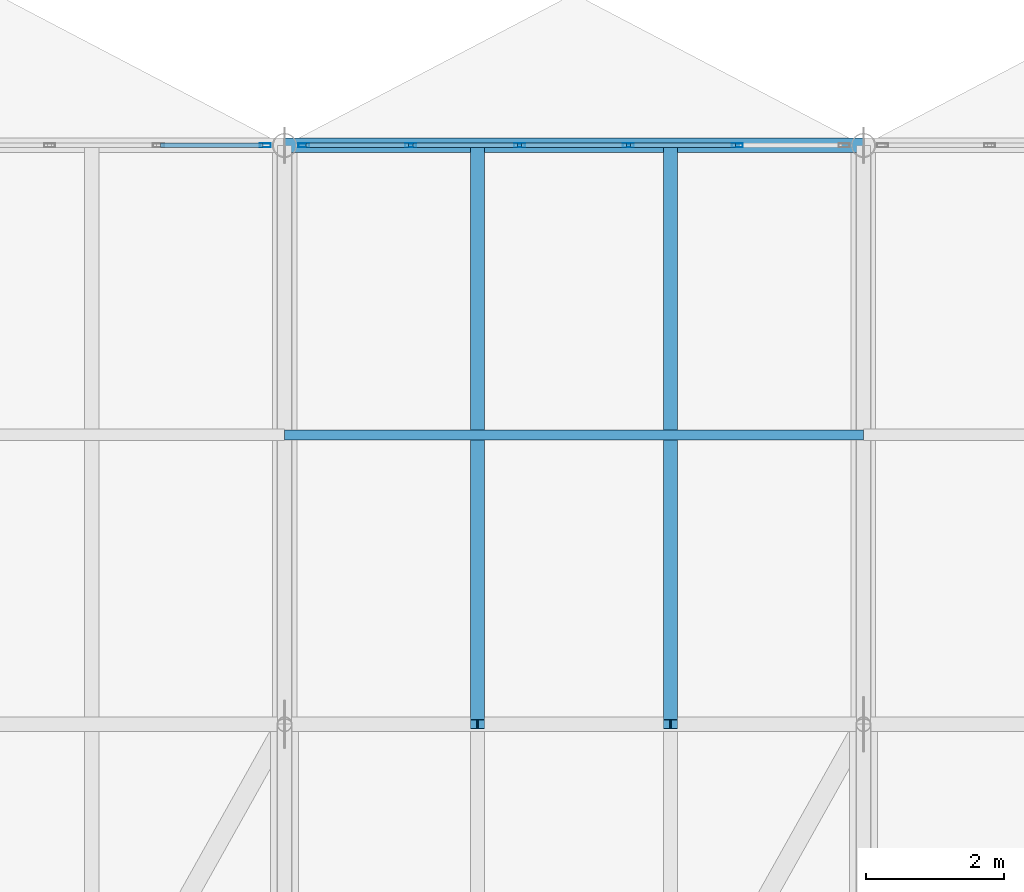
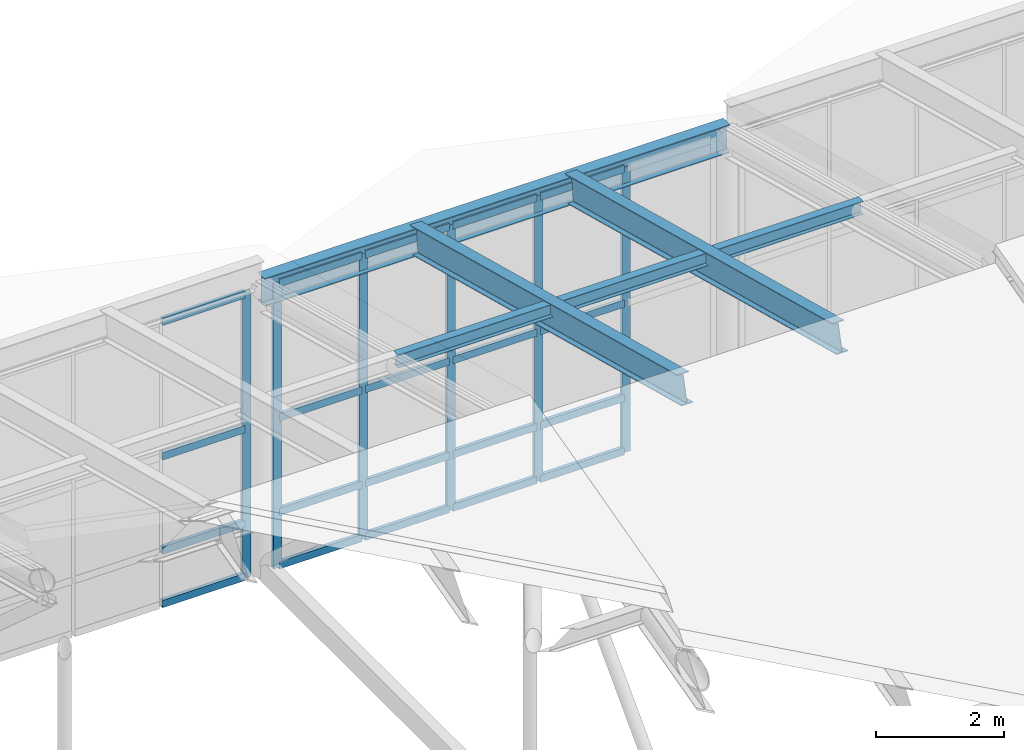
# One storey, part 18 of 43: 27 members, 3 beams, 2 elements without a shape of their own.
"""IFC4 building model written with IfcOpenShell, lengths in metres."""

from ifc_helpers import new_model, si_unit, direction, frame, origin, origin_2d, place, context, subcontext, project, spatial, hollow_rectangle, i_section, extrude, material, layer, layer_set, material_profile, profile_set, type_object, element, aggregate, save


model = new_model("IFC4")

# Units and contexts
model_context = context("Model", 3, precision=1e-05, world=origin(), true_north=direction((0.0, 1.0)))
body_context = subcontext(model_context, "Body", "Model", "MODEL_VIEW")
ifc_project = project(units=[si_unit("LENGTHUNIT", "METRE"), si_unit("AREAUNIT", "SQUARE_METRE"), si_unit("VOLUMEUNIT", "CUBIC_METRE"), si_unit("PLANEANGLEUNIT", "RADIAN"), si_unit("MASSUNIT", "GRAM", prefix="KILO")], contexts=[model_context])

# Site, building, storey
site_placement = place(None, origin())
site = spatial("IfcSite", under=ifc_project, at=site_placement, CompositionType="ELEMENT")
building_placement = place(site_placement, origin())
building = spatial("IfcBuilding", under=site, at=building_placement, Name="Selat Folded Stagehouse", CompositionType="ELEMENT")
storey_placement = place(building_placement, frame((0.0, 0.0, 32.39990234375)))
storey = spatial("IfcBuildingStorey", under=building, at=storey_placement, Name="RF", CompositionType="ELEMENT", Elevation=32.39990234375)

# Beams
ifc_material_1 = material(Name="Steel S355", Category="steel")
ifc_material_profile_1 = material_profile(ifc_material_1, i_section(OverallWidth=0.209228515625, OverallDepth=0.533203125, WebThickness=0.010009765625, FlangeThickness=0.015625, FilletRadius=0.0126953125, at=origin_2d()), Name="UKB 533x210x92")
ifc_profile_set_1 = profile_set([ifc_material_profile_1], Name="Steel S355")
beam_type = type_object("IfcBeamType", Name="BM-GIRD-533x210x92", PredefinedType="BEAM", material=ifc_profile_set_1)
beam_placement = place(storey_placement, frame((33.60009765625, 54.60009765625, 5.388916015625), z_axis=(1.0, 0.0, 0.0), x_axis=(0.0, 1.0, 0.0)))
element("IfcBeam", 1, at=beam_placement, inside=storey, type_object=beam_type, Name="RF bay 4 N roof bearer beam", PredefinedType="BEAM", context=body_context, shape_type="SweptSolid", body=[
    extrude(i_section(OverallWidth=0.209228515625, OverallDepth=0.533203125, WebThickness=0.010009765625, FlangeThickness=0.015625, FilletRadius=0.0126953125, at=origin_2d()), origin(), (0.0, 0.0, 1.0), 8.39990234375),
])
for number, where, z_axis, x_axis, name in (
    (2, (36.39990234375, 46.199951171875, 7.60888671875), (0.0, 0.966807574904, -0.255505602889), (-1.0, 0.0, 0.0), "RF bay 4 W north sub-rafter"),
    (3, (39.199951171875, 46.199951171875, 7.60888671875), (0.0, 0.966807574904, -0.255505602889), (-1.0, 0.0, 0.0), "RF bay 4 E north sub-rafter"),
):
    element("IfcBeam", number, at=place(storey_placement, frame(where, z_axis=z_axis, x_axis=x_axis)), inside=storey, type_object=beam_type, Name=name, PredefinedType="BEAM", context=body_context, shape_type="SweptSolid", body=[
        extrude(i_section(OverallWidth=0.209228515625, OverallDepth=0.533203125, WebThickness=0.010009765625, FlangeThickness=0.015625, FilletRadius=0.0126953125, at=origin_2d()), origin(), (0.0, 0.0, 1.0), 8.6884765625),
    ])

# Curtain wall, member
ifc_material_2 = material(Name="Aluminium 6063-T6", Category="aluminium")
ifc_layer = layer(ifc_material_2, 0.169921875)
ifc_layer_set = layer_set([ifc_layer], Name="Aluminium 6063-T6")
curtain_wall_type = type_object("IfcCurtainWallType", Name="CW-CRN-CLER", PredefinedType="NOTDEFINED", material=ifc_layer_set)
curtain_wall_1_placement = place(storey_placement, origin())
curtain_wall_1 = element("IfcCurtainWall", 4, at=curtain_wall_1_placement, inside=storey, type_object=curtain_wall_type, Name="RF curtain wall CW-RF-N-02", PredefinedType="NOTDEFINED")
ifc_material_profile_2 = material_profile(ifc_material_2, hollow_rectangle(XDim=0.06005859375, YDim=0.159912109375, WallThickness=0.00390625, at=origin_2d()), Name="ALU 160x60x4.0")
ifc_profile_set_2 = profile_set([ifc_material_profile_2], Name="Aluminium 6063-T6")
member_type_1 = type_object("IfcMemberType", Name="CWM-MUL-160x60", PredefinedType="MULLION", material=ifc_profile_set_2)
member_1_placement = place(storey_placement, frame((33.320068359375, 54.60009765625, 0.0), z_axis=(0.0, 0.0, 1.0), x_axis=(0.0, 1.0, 0.0)))
member_1 = element("IfcMember", 5, at=member_1_placement, type_object=member_type_1, Name="CW-09 mullion 6", PredefinedType="MULLION", context=body_context, shape_type="SweptSolid", body=[
    extrude(hollow_rectangle(XDim=0.06005859375, YDim=0.159912109375, WallThickness=0.00390625, at=origin_2d()), origin(), (0.0, 0.0, 1.0), 5.4501953125),
])

# Curtain wall, members
curtain_wall_2_placement = place(storey_placement, origin())
curtain_wall_2 = element("IfcCurtainWall", 6, at=curtain_wall_2_placement, inside=storey, type_object=curtain_wall_type, Name="RF curtain wall CW-RF-N-03", PredefinedType="NOTDEFINED")
member_2_placement = place(storey_placement, frame((33.8798828125, 54.60009765625, 0.0), z_axis=(0.0, 0.0, 1.0), x_axis=(0.0, 1.0, 0.0)))
member_2 = element("IfcMember", 7, at=member_2_placement, type_object=member_type_1, Name="CW-09 mullion 1", PredefinedType="MULLION", context=body_context, shape_type="SweptSolid", body=[
    extrude(hollow_rectangle(XDim=0.06005859375, YDim=0.159912109375, WallThickness=0.00390625, at=origin_2d()), origin(), (0.0, 0.0, 1.0), 5.4501953125),
])
member_3_placement = place(storey_placement, frame((35.429931640625, 54.60009765625, 0.0), z_axis=(0.0, 0.0, 1.0), x_axis=(0.0, 1.0, 0.0)))
member_3 = element("IfcMember", 8, at=member_3_placement, type_object=member_type_1, Name="CW-09 mullion 2", PredefinedType="MULLION", context=body_context, shape_type="SweptSolid", body=[
    extrude(hollow_rectangle(XDim=0.06005859375, YDim=0.159912109375, WallThickness=0.00390625, at=origin_2d()), origin(), (0.0, 0.0, 1.0), 5.4501953125),
])
member_4_placement = place(storey_placement, frame((37.010009765625, 54.60009765625, 0.0), z_axis=(0.0, 0.0, 1.0), x_axis=(0.0, 1.0, 0.0)))
member_4 = element("IfcMember", 9, at=member_4_placement, type_object=member_type_1, Name="CW-09 mullion 3", PredefinedType="MULLION", context=body_context, shape_type="SweptSolid", body=[
    extrude(hollow_rectangle(XDim=0.06005859375, YDim=0.159912109375, WallThickness=0.00390625, at=origin_2d()), origin(), (0.0, 0.0, 1.0), 5.4501953125),
])
member_5_placement = place(storey_placement, frame((38.590087890625, 54.60009765625, 0.0), z_axis=(0.0, 0.0, 1.0), x_axis=(0.0, 1.0, 0.0)))
member_5 = element("IfcMember", 10, at=member_5_placement, type_object=member_type_1, Name="CW-09 mullion 4", PredefinedType="MULLION", context=body_context, shape_type="SweptSolid", body=[
    extrude(hollow_rectangle(XDim=0.06005859375, YDim=0.159912109375, WallThickness=0.00390625, at=origin_2d()), origin(), (0.0, 0.0, 1.0), 5.4501953125),
])
member_6_placement = place(storey_placement, frame((40.169921875, 54.60009765625, 0.0), z_axis=(0.0, 0.0, 1.0), x_axis=(0.0, 1.0, 0.0)))
member_6 = element("IfcMember", 11, at=member_6_placement, type_object=member_type_1, Name="CW-09 mullion 5", PredefinedType="MULLION", context=body_context, shape_type="SweptSolid", body=[
    extrude(hollow_rectangle(XDim=0.06005859375, YDim=0.159912109375, WallThickness=0.00390625, at=origin_2d()), origin(), (0.0, 0.0, 1.0), 5.4501953125),
])

# Member
ifc_material_profile_3 = material_profile(ifc_material_2, hollow_rectangle(XDim=0.06494140625, YDim=0.139892578125, WallThickness=0.00390625, at=origin_2d()), Name="ALU 140x65x4.0")
ifc_profile_set_3 = profile_set([ifc_material_profile_3], Name="Aluminium 6063-T6")
member_type_2 = type_object("IfcMemberType", Name="CWM-TRN-140x65", PredefinedType="USERDEFINED", material=ifc_profile_set_3)
member_7_placement = place(storey_placement, frame((31.800048828125, 54.60009765625, 0.03271484375), z_axis=(1.0, 0.0, 0.0), x_axis=(0.0, 1.0, 0.0)))
member_7 = element("IfcMember", 12, at=member_7_placement, type_object=member_type_2, Name="CW-09 transom 5.1", ObjectType="TRANSOM", PredefinedType="USERDEFINED", context=body_context, shape_type="SweptSolid", body=[
    extrude(hollow_rectangle(XDim=0.06494140625, YDim=0.139892578125, WallThickness=0.00390625, at=origin_2d()), origin(), (0.0, 0.0, 1.0), 1.489990234375),
])

member_8_placement = place(storey_placement, frame((31.800048828125, 54.60009765625, 1.050048828125), z_axis=(1.0, 0.0, 0.0), x_axis=(0.0, 1.0, 0.0)))
member_8 = element("IfcMember", 13, at=member_8_placement, type_object=member_type_2, Name="CW-09 transom 5.2", ObjectType="TRANSOM", PredefinedType="USERDEFINED", context=body_context, shape_type="SweptSolid", body=[
    extrude(hollow_rectangle(XDim=0.06494140625, YDim=0.139892578125, WallThickness=0.00390625, at=origin_2d()), origin(), (0.0, 0.0, 1.0), 1.489990234375),
])

member_9_placement = place(storey_placement, frame((31.800048828125, 54.60009765625, 2.85009765625), z_axis=(1.0, 0.0, 0.0), x_axis=(0.0, 1.0, 0.0)))
member_9 = element("IfcMember", 14, at=member_9_placement, type_object=member_type_2, Name="CW-09 transom 5.3", ObjectType="TRANSOM", PredefinedType="USERDEFINED", context=body_context, shape_type="SweptSolid", body=[
    extrude(hollow_rectangle(XDim=0.06494140625, YDim=0.139892578125, WallThickness=0.00390625, at=origin_2d()), origin(), (0.0, 0.0, 1.0), 1.489990234375),
])

member_10_placement = place(storey_placement, frame((31.800048828125, 54.60009765625, 5.41748046875), z_axis=(1.0, 0.0, 0.0), x_axis=(0.0, 1.0, 0.0)))
member_10 = element("IfcMember", 15, at=member_10_placement, type_object=member_type_2, Name="CW-09 transom 5.4", ObjectType="TRANSOM", PredefinedType="USERDEFINED", context=body_context, shape_type="SweptSolid", body=[
    extrude(hollow_rectangle(XDim=0.06494140625, YDim=0.139892578125, WallThickness=0.00390625, at=origin_2d()), origin(), (0.0, 0.0, 1.0), 1.489990234375),
])

aggregate(curtain_wall_1, [member_1, member_7, member_8, member_9, member_10])

member_11_placement = place(storey_placement, frame((33.909912109375, 54.60009765625, 0.03271484375), z_axis=(1.0, 0.0, 0.0), x_axis=(0.0, 1.0, 0.0)))
member_11 = element("IfcMember", 16, at=member_11_placement, type_object=member_type_2, Name="CW-09 transom 1.1", ObjectType="TRANSOM", PredefinedType="USERDEFINED", context=body_context, shape_type="SweptSolid", body=[
    extrude(hollow_rectangle(XDim=0.06494140625, YDim=0.139892578125, WallThickness=0.00390625, at=origin_2d()), origin(), (0.0, 0.0, 1.0), 1.489990234375),
])

member_12_placement = place(storey_placement, frame((33.909912109375, 54.60009765625, 1.050048828125), z_axis=(1.0, 0.0, 0.0), x_axis=(0.0, 1.0, 0.0)))
member_12 = element("IfcMember", 17, at=member_12_placement, type_object=member_type_2, Name="CW-09 transom 1.2", ObjectType="TRANSOM", PredefinedType="USERDEFINED", context=body_context, shape_type="SweptSolid", body=[
    extrude(hollow_rectangle(XDim=0.06494140625, YDim=0.139892578125, WallThickness=0.00390625, at=origin_2d()), origin(), (0.0, 0.0, 1.0), 1.489990234375),
])

member_13_placement = place(storey_placement, frame((33.909912109375, 54.60009765625, 2.85009765625), z_axis=(1.0, 0.0, 0.0), x_axis=(0.0, 1.0, 0.0)))
member_13 = element("IfcMember", 18, at=member_13_placement, type_object=member_type_2, Name="CW-09 transom 1.3", ObjectType="TRANSOM", PredefinedType="USERDEFINED", context=body_context, shape_type="SweptSolid", body=[
    extrude(hollow_rectangle(XDim=0.06494140625, YDim=0.139892578125, WallThickness=0.00390625, at=origin_2d()), origin(), (0.0, 0.0, 1.0), 1.489990234375),
])

member_14_placement = place(storey_placement, frame((33.909912109375, 54.60009765625, 5.41748046875), z_axis=(1.0, 0.0, 0.0), x_axis=(0.0, 1.0, 0.0)))
member_14 = element("IfcMember", 19, at=member_14_placement, type_object=member_type_2, Name="CW-09 transom 1.4", ObjectType="TRANSOM", PredefinedType="USERDEFINED", context=body_context, shape_type="SweptSolid", body=[
    extrude(hollow_rectangle(XDim=0.06494140625, YDim=0.139892578125, WallThickness=0.00390625, at=origin_2d()), origin(), (0.0, 0.0, 1.0), 1.489990234375),
])

member_15_placement = place(storey_placement, frame((35.4599609375, 54.60009765625, 0.03271484375), z_axis=(1.0, 0.0, 0.0), x_axis=(0.0, 1.0, 0.0)))
member_15 = element("IfcMember", 20, at=member_15_placement, type_object=member_type_2, Name="CW-09 transom 2.1", ObjectType="TRANSOM", PredefinedType="USERDEFINED", context=body_context, shape_type="SweptSolid", body=[
    extrude(hollow_rectangle(XDim=0.06494140625, YDim=0.139892578125, WallThickness=0.00390625, at=origin_2d()), origin(), (0.0, 0.0, 1.0), 1.52001953125),
])

member_16_placement = place(storey_placement, frame((35.4599609375, 54.60009765625, 1.050048828125), z_axis=(1.0, 0.0, 0.0), x_axis=(0.0, 1.0, 0.0)))
member_16 = element("IfcMember", 21, at=member_16_placement, type_object=member_type_2, Name="CW-09 transom 2.2", ObjectType="TRANSOM", PredefinedType="USERDEFINED", context=body_context, shape_type="SweptSolid", body=[
    extrude(hollow_rectangle(XDim=0.06494140625, YDim=0.139892578125, WallThickness=0.00390625, at=origin_2d()), origin(), (0.0, 0.0, 1.0), 1.52001953125),
])

member_17_placement = place(storey_placement, frame((35.4599609375, 54.60009765625, 2.85009765625), z_axis=(1.0, 0.0, 0.0), x_axis=(0.0, 1.0, 0.0)))
member_17 = element("IfcMember", 22, at=member_17_placement, type_object=member_type_2, Name="CW-09 transom 2.3", ObjectType="TRANSOM", PredefinedType="USERDEFINED", context=body_context, shape_type="SweptSolid", body=[
    extrude(hollow_rectangle(XDim=0.06494140625, YDim=0.139892578125, WallThickness=0.00390625, at=origin_2d()), origin(), (0.0, 0.0, 1.0), 1.52001953125),
])

member_18_placement = place(storey_placement, frame((35.4599609375, 54.60009765625, 5.41748046875), z_axis=(1.0, 0.0, 0.0), x_axis=(0.0, 1.0, 0.0)))
member_18 = element("IfcMember", 23, at=member_18_placement, type_object=member_type_2, Name="CW-09 transom 2.4", ObjectType="TRANSOM", PredefinedType="USERDEFINED", context=body_context, shape_type="SweptSolid", body=[
    extrude(hollow_rectangle(XDim=0.06494140625, YDim=0.139892578125, WallThickness=0.00390625, at=origin_2d()), origin(), (0.0, 0.0, 1.0), 1.52001953125),
])

member_19_placement = place(storey_placement, frame((37.0400390625, 54.60009765625, 0.03271484375), z_axis=(1.0, 0.0, 0.0), x_axis=(0.0, 1.0, 0.0)))
member_19 = element("IfcMember", 24, at=member_19_placement, type_object=member_type_2, Name="CW-09 transom 3.1", ObjectType="TRANSOM", PredefinedType="USERDEFINED", context=body_context, shape_type="SweptSolid", body=[
    extrude(hollow_rectangle(XDim=0.06494140625, YDim=0.139892578125, WallThickness=0.00390625, at=origin_2d()), origin(), (0.0, 0.0, 1.0), 1.52001953125),
])

member_20_placement = place(storey_placement, frame((37.0400390625, 54.60009765625, 1.050048828125), z_axis=(1.0, 0.0, 0.0), x_axis=(0.0, 1.0, 0.0)))
member_20 = element("IfcMember", 25, at=member_20_placement, type_object=member_type_2, Name="CW-09 transom 3.2", ObjectType="TRANSOM", PredefinedType="USERDEFINED", context=body_context, shape_type="SweptSolid", body=[
    extrude(hollow_rectangle(XDim=0.06494140625, YDim=0.139892578125, WallThickness=0.00390625, at=origin_2d()), origin(), (0.0, 0.0, 1.0), 1.52001953125),
])

member_21_placement = place(storey_placement, frame((37.0400390625, 54.60009765625, 2.85009765625), z_axis=(1.0, 0.0, 0.0), x_axis=(0.0, 1.0, 0.0)))
member_21 = element("IfcMember", 26, at=member_21_placement, type_object=member_type_2, Name="CW-09 transom 3.3", ObjectType="TRANSOM", PredefinedType="USERDEFINED", context=body_context, shape_type="SweptSolid", body=[
    extrude(hollow_rectangle(XDim=0.06494140625, YDim=0.139892578125, WallThickness=0.00390625, at=origin_2d()), origin(), (0.0, 0.0, 1.0), 1.52001953125),
])

member_22_placement = place(storey_placement, frame((37.0400390625, 54.60009765625, 5.41748046875), z_axis=(1.0, 0.0, 0.0), x_axis=(0.0, 1.0, 0.0)))
member_22 = element("IfcMember", 27, at=member_22_placement, type_object=member_type_2, Name="CW-09 transom 3.4", ObjectType="TRANSOM", PredefinedType="USERDEFINED", context=body_context, shape_type="SweptSolid", body=[
    extrude(hollow_rectangle(XDim=0.06494140625, YDim=0.139892578125, WallThickness=0.00390625, at=origin_2d()), origin(), (0.0, 0.0, 1.0), 1.52001953125),
])

member_23_placement = place(storey_placement, frame((38.6201171875, 54.60009765625, 0.03271484375), z_axis=(1.0, 0.0, 0.0), x_axis=(0.0, 1.0, 0.0)))
member_23 = element("IfcMember", 28, at=member_23_placement, type_object=member_type_2, Name="CW-09 transom 4.1", ObjectType="TRANSOM", PredefinedType="USERDEFINED", context=body_context, shape_type="SweptSolid", body=[
    extrude(hollow_rectangle(XDim=0.06494140625, YDim=0.139892578125, WallThickness=0.00390625, at=origin_2d()), origin(), (0.0, 0.0, 1.0), 1.519775390625),
])

member_24_placement = place(storey_placement, frame((38.6201171875, 54.60009765625, 1.050048828125), z_axis=(1.0, 0.0, 0.0), x_axis=(0.0, 1.0, 0.0)))
member_24 = element("IfcMember", 29, at=member_24_placement, type_object=member_type_2, Name="CW-09 transom 4.2", ObjectType="TRANSOM", PredefinedType="USERDEFINED", context=body_context, shape_type="SweptSolid", body=[
    extrude(hollow_rectangle(XDim=0.06494140625, YDim=0.139892578125, WallThickness=0.00390625, at=origin_2d()), origin(), (0.0, 0.0, 1.0), 1.519775390625),
])

member_25_placement = place(storey_placement, frame((38.6201171875, 54.60009765625, 2.85009765625), z_axis=(1.0, 0.0, 0.0), x_axis=(0.0, 1.0, 0.0)))
member_25 = element("IfcMember", 30, at=member_25_placement, type_object=member_type_2, Name="CW-09 transom 4.3", ObjectType="TRANSOM", PredefinedType="USERDEFINED", context=body_context, shape_type="SweptSolid", body=[
    extrude(hollow_rectangle(XDim=0.06494140625, YDim=0.139892578125, WallThickness=0.00390625, at=origin_2d()), origin(), (0.0, 0.0, 1.0), 1.519775390625),
])

member_26_placement = place(storey_placement, frame((38.6201171875, 54.60009765625, 5.41748046875), z_axis=(1.0, 0.0, 0.0), x_axis=(0.0, 1.0, 0.0)))
member_26 = element("IfcMember", 31, at=member_26_placement, type_object=member_type_2, Name="CW-09 transom 4.4", ObjectType="TRANSOM", PredefinedType="USERDEFINED", context=body_context, shape_type="SweptSolid", body=[
    extrude(hollow_rectangle(XDim=0.06494140625, YDim=0.139892578125, WallThickness=0.00390625, at=origin_2d()), origin(), (0.0, 0.0, 1.0), 1.519775390625),
])

aggregate(curtain_wall_2, [member_2, member_3, member_4, member_5, member_6, member_11, member_12, member_13, member_14, member_15, member_16, member_17, member_18, member_19, member_20, member_21, member_22, member_23, member_24, member_25, member_26])

ifc_material_profile_4 = material_profile(ifc_material_1, i_section(OverallWidth=0.14599609375, OverallDepth=0.25146484375, WebThickness=0.006103515625, FlangeThickness=0.008544921875, FilletRadius=0.007568359375, at=origin_2d()), Name="UKB 254x146x31")
ifc_profile_set_4 = profile_set([ifc_material_profile_4], Name="Steel S355")
member_type_3 = type_object("IfcMemberType", Name="MEM-PURLIN-UKB254", PredefinedType="PURLIN", material=ifc_profile_set_4)
member_27_placement = place(storey_placement, frame((33.60009765625, 50.39990234375, 6.59814453125), z_axis=(1.0, 0.0, 0.0), x_axis=(0.0, 1.0, 0.0)))
element("IfcMember", 32, at=member_27_placement, inside=storey, type_object=member_type_3, Name="Folded-plate roof purlin bay 4.5", PredefinedType="PURLIN", context=body_context, shape_type="SweptSolid", body=[
    extrude(i_section(OverallWidth=0.14599609375, OverallDepth=0.25146484375, WebThickness=0.006103515625, FlangeThickness=0.008544921875, FilletRadius=0.007568359375, at=origin_2d()), origin(), (0.0, 0.0, 1.0), 8.39990234375),
])

save(model, "model.ifc")
